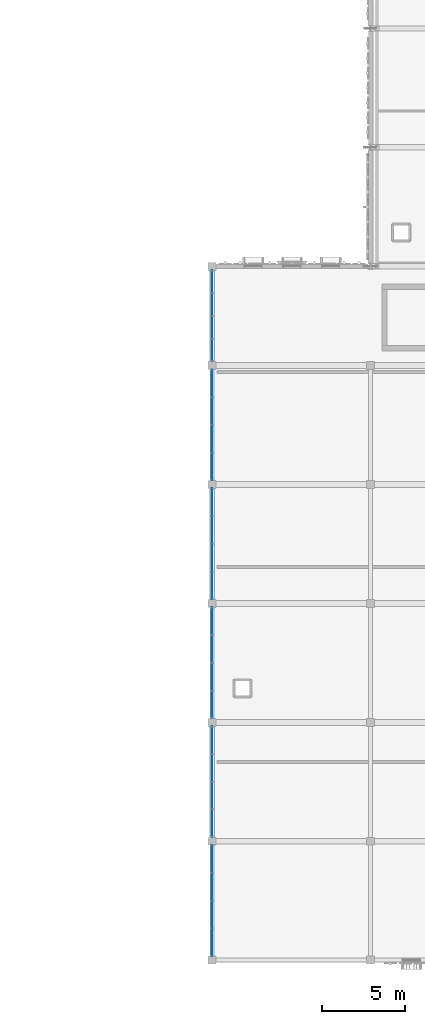
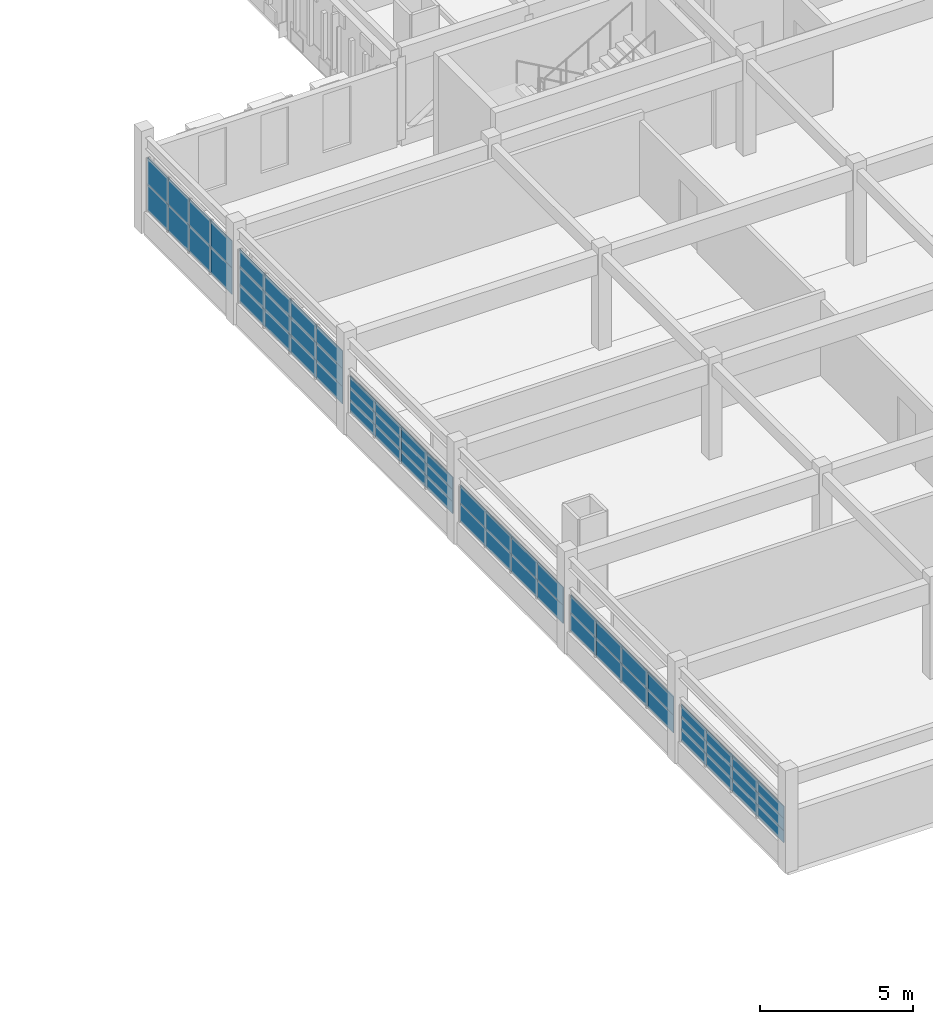
# One storey, part 34 of 79: 60 plates, 6 elements without a shape of their own.
"""IFC4 building model written with IfcOpenShell, lengths in metres."""

from ifc_helpers import new_model, si_unit, direction, frame, origin, origin_2d, place, context, subcontext, project, spatial, rectangle, extrude, material, layer, layer_set, type_object, element, aggregate, save


model = new_model("IFC4")

# Units and contexts
model_context = context("Model", 3, precision=1e-05, world=origin(), true_north=direction((0.0, 1.0)))
body_context = subcontext(model_context, "Body", "Model", "MODEL_VIEW")
ifc_project = project(units=[si_unit("LENGTHUNIT", "METRE"), si_unit("AREAUNIT", "SQUARE_METRE"), si_unit("VOLUMEUNIT", "CUBIC_METRE"), si_unit("PLANEANGLEUNIT", "RADIAN"), si_unit("MASSUNIT", "GRAM", prefix="KILO")], contexts=[model_context])

# Site, building, storey
site_placement = place(None, origin())
site = spatial("IfcSite", under=ifc_project, at=site_placement, CompositionType="ELEMENT")
building_placement = place(site_placement, origin())
building = spatial("IfcBuilding", under=site, at=building_placement, Name="Nzembalo Square Collegiate School", CompositionType="ELEMENT")
storey_placement = place(building_placement, frame((0.0, 0.0, 9.52001953125)))
storey = spatial("IfcBuildingStorey", under=building, at=storey_placement, Name="L02", CompositionType="ELEMENT", Elevation=9.52001953125)

# Curtain wall, plates
ifc_material_1 = material(Name="Aluminium 6060-T66", Category="aluminium")
curtain_wall_type_1 = type_object("IfcCurtainWallType", Name="CW-01", PredefinedType="USERDEFINED", material=ifc_material_1)
curtain_wall_1_placement = place(storey_placement, origin())
curtain_wall_1 = element("IfcCurtainWall", 1, at=curtain_wall_1_placement, inside=storey, type_object=curtain_wall_type_1, Name="Curtain wall CW-01 cw:L02:096", ObjectType="UNITISED", PredefinedType="USERDEFINED")
ifc_material_2 = material(Name="Laminated solar-control double glazing", Category="glass")
ifc_layer_1 = layer(ifc_material_2, 0.028076171875, Name="Laminated solar-control double glazing")
ifc_layer_set_1 = layer_set([ifc_layer_1], Name="Laminated solar-control double glazing")
plate_type_1 = type_object("IfcPlateType", Name="PN01", PredefinedType="CURTAIN_PANEL", material=ifc_layer_set_1)
plate_1_placement = place(storey_placement, frame((130.800048828125, 31.08154296875, 0.85400390625), z_axis=(0.0, 0.0, 1.0), x_axis=(0.0, 1.0, 0.0)))
plate_1 = element("IfcPlate", 2, at=plate_1_placement, type_object=plate_type_1, Name="PN01 glazed panel 1-1", PredefinedType="CURTAIN_PANEL", context=body_context, shape_type="SweptSolid", body=[
    extrude(rectangle(XDim=1.6708984375, YDim=0.028076171875, at=origin_2d()), origin(), (0.0, 0.0, 1.0), 0.4765625),
])
plate_2_placement = place(storey_placement, frame((130.800048828125, 32.760498046875, 0.85400390625), z_axis=(0.0, 0.0, 1.0), x_axis=(0.0, 1.0, 0.0)))
plate_2 = element("IfcPlate", 3, at=plate_2_placement, type_object=plate_type_1, Name="PN01 glazed panel 1-2", PredefinedType="CURTAIN_PANEL", context=body_context, shape_type="SweptSolid", body=[
    extrude(rectangle(XDim=1.6708984375, YDim=0.028076171875, at=origin_2d()), origin(), (0.0, 0.0, 1.0), 0.4765625),
])
plate_3_placement = place(storey_placement, frame((130.800048828125, 34.439453125, 0.85400390625), z_axis=(0.0, 0.0, 1.0), x_axis=(0.0, 1.0, 0.0)))
plate_3 = element("IfcPlate", 4, at=plate_3_placement, type_object=plate_type_1, Name="PN01 glazed panel 1-3", PredefinedType="CURTAIN_PANEL", context=body_context, shape_type="SweptSolid", body=[
    extrude(rectangle(XDim=1.6708984375, YDim=0.028076171875, at=origin_2d()), origin(), (0.0, 0.0, 1.0), 0.4765625),
])
plate_4_placement = place(storey_placement, frame((130.800048828125, 36.118408203125, 0.85400390625), z_axis=(0.0, 0.0, 1.0), x_axis=(0.0, 1.0, 0.0)))
plate_4 = element("IfcPlate", 5, at=plate_4_placement, type_object=plate_type_1, Name="PN01 glazed panel 1-4", PredefinedType="CURTAIN_PANEL", context=body_context, shape_type="SweptSolid", body=[
    extrude(rectangle(XDim=1.6708984375, YDim=0.028076171875, at=origin_2d()), origin(), (0.0, 0.0, 1.0), 0.4765625),
])
plate_5_placement = place(storey_placement, frame((130.800048828125, 31.08154296875, 1.338623046875), z_axis=(0.0, 0.0, 1.0), x_axis=(0.0, 1.0, 0.0)))
plate_5 = element("IfcPlate", 6, at=plate_5_placement, type_object=plate_type_1, Name="PN01 glazed panel 2-1", PredefinedType="CURTAIN_PANEL", context=body_context, shape_type="SweptSolid", body=[
    extrude(rectangle(XDim=1.6708984375, YDim=0.028076171875, at=origin_2d()), origin(), (0.0, 0.0, 1.0), 0.4765625),
])
plate_6_placement = place(storey_placement, frame((130.800048828125, 32.760498046875, 1.338623046875), z_axis=(0.0, 0.0, 1.0), x_axis=(0.0, 1.0, 0.0)))
plate_6 = element("IfcPlate", 7, at=plate_6_placement, type_object=plate_type_1, Name="PN01 glazed panel 2-2", PredefinedType="CURTAIN_PANEL", context=body_context, shape_type="SweptSolid", body=[
    extrude(rectangle(XDim=1.6708984375, YDim=0.028076171875, at=origin_2d()), origin(), (0.0, 0.0, 1.0), 0.4765625),
])
plate_7_placement = place(storey_placement, frame((130.800048828125, 34.439453125, 1.338623046875), z_axis=(0.0, 0.0, 1.0), x_axis=(0.0, 1.0, 0.0)))
plate_7 = element("IfcPlate", 8, at=plate_7_placement, type_object=plate_type_1, Name="PN01 glazed panel 2-3", PredefinedType="CURTAIN_PANEL", context=body_context, shape_type="SweptSolid", body=[
    extrude(rectangle(XDim=1.6708984375, YDim=0.028076171875, at=origin_2d()), origin(), (0.0, 0.0, 1.0), 0.4765625),
])
plate_8_placement = place(storey_placement, frame((130.800048828125, 36.118408203125, 1.338623046875), z_axis=(0.0, 0.0, 1.0), x_axis=(0.0, 1.0, 0.0)))
plate_8 = element("IfcPlate", 9, at=plate_8_placement, type_object=plate_type_1, Name="PN01 glazed panel 2-4", PredefinedType="CURTAIN_PANEL", context=body_context, shape_type="SweptSolid", body=[
    extrude(rectangle(XDim=1.6708984375, YDim=0.028076171875, at=origin_2d()), origin(), (0.0, 0.0, 1.0), 0.4765625),
])
plate_9_placement = place(storey_placement, frame((130.800048828125, 31.08154296875, 1.823486328125), z_axis=(0.0, 0.0, 1.0), x_axis=(0.0, 1.0, 0.0)))
plate_9 = element("IfcPlate", 10, at=plate_9_placement, type_object=plate_type_1, Name="PN01 glazed panel 3-1", PredefinedType="CURTAIN_PANEL", context=body_context, shape_type="SweptSolid", body=[
    extrude(rectangle(XDim=1.6708984375, YDim=0.028076171875, at=origin_2d()), origin(), (0.0, 0.0, 1.0), 0.4765625),
])
plate_10_placement = place(storey_placement, frame((130.800048828125, 32.760498046875, 1.823486328125), z_axis=(0.0, 0.0, 1.0), x_axis=(0.0, 1.0, 0.0)))
plate_10 = element("IfcPlate", 11, at=plate_10_placement, type_object=plate_type_1, Name="PN01 glazed panel 3-2", PredefinedType="CURTAIN_PANEL", context=body_context, shape_type="SweptSolid", body=[
    extrude(rectangle(XDim=1.6708984375, YDim=0.028076171875, at=origin_2d()), origin(), (0.0, 0.0, 1.0), 0.4765625),
])
plate_11_placement = place(storey_placement, frame((130.800048828125, 34.439453125, 1.823486328125), z_axis=(0.0, 0.0, 1.0), x_axis=(0.0, 1.0, 0.0)))
plate_11 = element("IfcPlate", 12, at=plate_11_placement, type_object=plate_type_1, Name="PN01 glazed panel 3-3", PredefinedType="CURTAIN_PANEL", context=body_context, shape_type="SweptSolid", body=[
    extrude(rectangle(XDim=1.6708984375, YDim=0.028076171875, at=origin_2d()), origin(), (0.0, 0.0, 1.0), 0.4765625),
])
plate_12_placement = place(storey_placement, frame((130.800048828125, 36.118408203125, 1.823486328125), z_axis=(0.0, 0.0, 1.0), x_axis=(0.0, 1.0, 0.0)))
plate_12 = element("IfcPlate", 13, at=plate_12_placement, type_object=plate_type_1, Name="PN01 glazed panel 3-4", PredefinedType="CURTAIN_PANEL", context=body_context, shape_type="SweptSolid", body=[
    extrude(rectangle(XDim=1.6708984375, YDim=0.028076171875, at=origin_2d()), origin(), (0.0, 0.0, 1.0), 0.4765625),
])
aggregate(curtain_wall_1, [plate_1, plate_2, plate_3, plate_4, plate_5, plate_6, plate_7, plate_8, plate_9, plate_10, plate_11, plate_12])

ifc_material_3 = material(Name="Aluminium 6060-T66", Category="aluminium")
curtain_wall_type_2 = type_object("IfcCurtainWallType", Name="CW-02", PredefinedType="USERDEFINED", material=ifc_material_3)
curtain_wall_2_placement = place(storey_placement, origin())
curtain_wall_2 = element("IfcCurtainWall", 14, at=curtain_wall_2_placement, inside=storey, type_object=curtain_wall_type_2, Name="Curtain wall CW-02 cw:L02:097", ObjectType="UNITISED", PredefinedType="USERDEFINED")
plate_13_placement = place(storey_placement, frame((130.800048828125, 38.281494140625, 0.85400390625), z_axis=(0.0, 0.0, 1.0), x_axis=(0.0, 1.0, 0.0)))
plate_13 = element("IfcPlate", 15, at=plate_13_placement, type_object=plate_type_1, Name="PN01 glazed panel 1-1", PredefinedType="CURTAIN_PANEL", context=body_context, shape_type="SweptSolid", body=[
    extrude(rectangle(XDim=1.6708984375, YDim=0.028076171875, at=origin_2d()), origin(), (0.0, 0.0, 1.0), 0.70166015625),
])
plate_14_placement = place(storey_placement, frame((130.800048828125, 39.96044921875, 0.85400390625), z_axis=(0.0, 0.0, 1.0), x_axis=(0.0, 1.0, 0.0)))
plate_14 = element("IfcPlate", 16, at=plate_14_placement, type_object=plate_type_1, Name="PN01 glazed panel 1-2", PredefinedType="CURTAIN_PANEL", context=body_context, shape_type="SweptSolid", body=[
    extrude(rectangle(XDim=1.6708984375, YDim=0.028076171875, at=origin_2d()), origin(), (0.0, 0.0, 1.0), 0.70166015625),
])
plate_15_placement = place(storey_placement, frame((130.800048828125, 41.639404296875, 0.85400390625), z_axis=(0.0, 0.0, 1.0), x_axis=(0.0, 1.0, 0.0)))
plate_15 = element("IfcPlate", 17, at=plate_15_placement, type_object=plate_type_1, Name="PN01 glazed panel 1-3", PredefinedType="CURTAIN_PANEL", context=body_context, shape_type="SweptSolid", body=[
    extrude(rectangle(XDim=1.6708984375, YDim=0.028076171875, at=origin_2d()), origin(), (0.0, 0.0, 1.0), 0.70166015625),
])
plate_16_placement = place(storey_placement, frame((130.800048828125, 43.318603515625, 0.85400390625), z_axis=(0.0, 0.0, 1.0), x_axis=(0.0, 1.0, 0.0)))
plate_16 = element("IfcPlate", 18, at=plate_16_placement, type_object=plate_type_1, Name="PN01 glazed panel 1-4", PredefinedType="CURTAIN_PANEL", context=body_context, shape_type="SweptSolid", body=[
    extrude(rectangle(XDim=1.6708984375, YDim=0.028076171875, at=origin_2d()), origin(), (0.0, 0.0, 1.0), 0.70166015625),
])
plate_17_placement = place(storey_placement, frame((130.800048828125, 38.281494140625, 1.563720703125), z_axis=(0.0, 0.0, 1.0), x_axis=(0.0, 1.0, 0.0)))
plate_17 = element("IfcPlate", 19, at=plate_17_placement, type_object=plate_type_1, Name="PN01 glazed panel 2-1", PredefinedType="CURTAIN_PANEL", context=body_context, shape_type="SweptSolid", body=[
    extrude(rectangle(XDim=1.6708984375, YDim=0.028076171875, at=origin_2d()), origin(), (0.0, 0.0, 1.0), 0.70166015625),
])
plate_18_placement = place(storey_placement, frame((130.800048828125, 39.96044921875, 1.563720703125), z_axis=(0.0, 0.0, 1.0), x_axis=(0.0, 1.0, 0.0)))
plate_18 = element("IfcPlate", 20, at=plate_18_placement, type_object=plate_type_1, Name="PN01 glazed panel 2-2", PredefinedType="CURTAIN_PANEL", context=body_context, shape_type="SweptSolid", body=[
    extrude(rectangle(XDim=1.6708984375, YDim=0.028076171875, at=origin_2d()), origin(), (0.0, 0.0, 1.0), 0.70166015625),
])
plate_19_placement = place(storey_placement, frame((130.800048828125, 41.639404296875, 1.563720703125), z_axis=(0.0, 0.0, 1.0), x_axis=(0.0, 1.0, 0.0)))
plate_19 = element("IfcPlate", 21, at=plate_19_placement, type_object=plate_type_1, Name="PN01 glazed panel 2-3", PredefinedType="CURTAIN_PANEL", context=body_context, shape_type="SweptSolid", body=[
    extrude(rectangle(XDim=1.6708984375, YDim=0.028076171875, at=origin_2d()), origin(), (0.0, 0.0, 1.0), 0.70166015625),
])
plate_20_placement = place(storey_placement, frame((130.800048828125, 43.318603515625, 1.563720703125), z_axis=(0.0, 0.0, 1.0), x_axis=(0.0, 1.0, 0.0)))
plate_20 = element("IfcPlate", 22, at=plate_20_placement, type_object=plate_type_1, Name="PN01 glazed panel 2-4", PredefinedType="CURTAIN_PANEL", context=body_context, shape_type="SweptSolid", body=[
    extrude(rectangle(XDim=1.6708984375, YDim=0.028076171875, at=origin_2d()), origin(), (0.0, 0.0, 1.0), 0.70166015625),
])
plate_21_placement = place(storey_placement, frame((130.800048828125, 38.281494140625, 2.273193359375), z_axis=(0.0, 0.0, 1.0), x_axis=(0.0, 1.0, 0.0)))
plate_21 = element("IfcPlate", 23, at=plate_21_placement, type_object=plate_type_1, Name="PN01 glazed panel 3-1", PredefinedType="CURTAIN_PANEL", context=body_context, shape_type="SweptSolid", body=[
    extrude(rectangle(XDim=1.6708984375, YDim=0.028076171875, at=origin_2d()), origin(), (0.0, 0.0, 1.0), 0.70166015625),
])
plate_22_placement = place(storey_placement, frame((130.800048828125, 39.96044921875, 2.273193359375), z_axis=(0.0, 0.0, 1.0), x_axis=(0.0, 1.0, 0.0)))
plate_22 = element("IfcPlate", 24, at=plate_22_placement, type_object=plate_type_1, Name="PN01 glazed panel 3-2", PredefinedType="CURTAIN_PANEL", context=body_context, shape_type="SweptSolid", body=[
    extrude(rectangle(XDim=1.6708984375, YDim=0.028076171875, at=origin_2d()), origin(), (0.0, 0.0, 1.0), 0.70166015625),
])
plate_23_placement = place(storey_placement, frame((130.800048828125, 41.639404296875, 2.273193359375), z_axis=(0.0, 0.0, 1.0), x_axis=(0.0, 1.0, 0.0)))
plate_23 = element("IfcPlate", 25, at=plate_23_placement, type_object=plate_type_1, Name="PN01 glazed panel 3-3", PredefinedType="CURTAIN_PANEL", context=body_context, shape_type="SweptSolid", body=[
    extrude(rectangle(XDim=1.6708984375, YDim=0.028076171875, at=origin_2d()), origin(), (0.0, 0.0, 1.0), 0.70166015625),
])
plate_24_placement = place(storey_placement, frame((130.800048828125, 43.318603515625, 2.273193359375), z_axis=(0.0, 0.0, 1.0), x_axis=(0.0, 1.0, 0.0)))
plate_24 = element("IfcPlate", 26, at=plate_24_placement, type_object=plate_type_1, Name="PN01 glazed panel 3-4", PredefinedType="CURTAIN_PANEL", context=body_context, shape_type="SweptSolid", body=[
    extrude(rectangle(XDim=1.6708984375, YDim=0.028076171875, at=origin_2d()), origin(), (0.0, 0.0, 1.0), 0.70166015625),
])
aggregate(curtain_wall_2, [plate_13, plate_14, plate_15, plate_16, plate_17, plate_18, plate_19, plate_20, plate_21, plate_22, plate_23, plate_24])

ifc_material_4 = material(Name="Aluminium 6060-T66", Category="aluminium")
curtain_wall_type_3 = type_object("IfcCurtainWallType", Name="CW-06", PredefinedType="USERDEFINED", material=ifc_material_4)
curtain_wall_3_placement = place(storey_placement, origin())
curtain_wall_3 = element("IfcCurtainWall", 27, at=curtain_wall_3_placement, inside=storey, type_object=curtain_wall_type_3, Name="Curtain wall CW-06 cw:L02:093", ObjectType="LANCET", PredefinedType="USERDEFINED")
ifc_material_5 = material(Name="Acoustic laminated solar-control glazing", Category="glass")
ifc_layer_2 = layer(ifc_material_5, 0.031982421875, Name="Acoustic laminated solar-control glazing")
ifc_layer_set_2 = layer_set([ifc_layer_2], Name="Acoustic laminated solar-control glazing")
plate_type_2 = type_object("IfcPlateType", Name="PN02", PredefinedType="CURTAIN_PANEL", material=ifc_layer_set_2)
plate_25_placement = place(storey_placement, frame((130.800048828125, 9.4814453125, 0.85400390625), z_axis=(0.0, 0.0, 1.0), x_axis=(0.0, 1.0, 0.0)))
plate_25 = element("IfcPlate", 28, at=plate_25_placement, type_object=plate_type_2, Name="PN02 glazed panel 1-1", PredefinedType="CURTAIN_PANEL", context=body_context, shape_type="SweptSolid", body=[
    extrude(rectangle(XDim=1.6708984375, YDim=0.031982421875, at=origin_2d()), origin(), (0.0, 0.0, 1.0), 0.4765625),
])
plate_26_placement = place(storey_placement, frame((130.800048828125, 11.160400390625, 0.85400390625), z_axis=(0.0, 0.0, 1.0), x_axis=(0.0, 1.0, 0.0)))
plate_26 = element("IfcPlate", 29, at=plate_26_placement, type_object=plate_type_2, Name="PN02 glazed panel 1-2", PredefinedType="CURTAIN_PANEL", context=body_context, shape_type="SweptSolid", body=[
    extrude(rectangle(XDim=1.6708984375, YDim=0.031982421875, at=origin_2d()), origin(), (0.0, 0.0, 1.0), 0.4765625),
])
plate_27_placement = place(storey_placement, frame((130.800048828125, 12.839599609375, 0.85400390625), z_axis=(0.0, 0.0, 1.0), x_axis=(0.0, 1.0, 0.0)))
plate_27 = element("IfcPlate", 30, at=plate_27_placement, type_object=plate_type_2, Name="PN02 glazed panel 1-3", PredefinedType="CURTAIN_PANEL", context=body_context, shape_type="SweptSolid", body=[
    extrude(rectangle(XDim=1.6708984375, YDim=0.031982421875, at=origin_2d()), origin(), (0.0, 0.0, 1.0), 0.4765625),
])
plate_28_placement = place(storey_placement, frame((130.800048828125, 14.5185546875, 0.85400390625), z_axis=(0.0, 0.0, 1.0), x_axis=(0.0, 1.0, 0.0)))
plate_28 = element("IfcPlate", 31, at=plate_28_placement, type_object=plate_type_2, Name="PN02 glazed panel 1-4", PredefinedType="CURTAIN_PANEL", context=body_context, shape_type="SweptSolid", body=[
    extrude(rectangle(XDim=1.6708984375, YDim=0.031982421875, at=origin_2d()), origin(), (0.0, 0.0, 1.0), 0.4765625),
])
plate_29_placement = place(storey_placement, frame((130.800048828125, 9.4814453125, 1.338623046875), z_axis=(0.0, 0.0, 1.0), x_axis=(0.0, 1.0, 0.0)))
plate_29 = element("IfcPlate", 32, at=plate_29_placement, type_object=plate_type_2, Name="PN02 glazed panel 2-1", PredefinedType="CURTAIN_PANEL", context=body_context, shape_type="SweptSolid", body=[
    extrude(rectangle(XDim=1.6708984375, YDim=0.031982421875, at=origin_2d()), origin(), (0.0, 0.0, 1.0), 0.4765625),
])
plate_30_placement = place(storey_placement, frame((130.800048828125, 11.160400390625, 1.338623046875), z_axis=(0.0, 0.0, 1.0), x_axis=(0.0, 1.0, 0.0)))
plate_30 = element("IfcPlate", 33, at=plate_30_placement, type_object=plate_type_2, Name="PN02 glazed panel 2-2", PredefinedType="CURTAIN_PANEL", context=body_context, shape_type="SweptSolid", body=[
    extrude(rectangle(XDim=1.6708984375, YDim=0.031982421875, at=origin_2d()), origin(), (0.0, 0.0, 1.0), 0.4765625),
])
plate_31_placement = place(storey_placement, frame((130.800048828125, 12.839599609375, 1.338623046875), z_axis=(0.0, 0.0, 1.0), x_axis=(0.0, 1.0, 0.0)))
plate_31 = element("IfcPlate", 34, at=plate_31_placement, type_object=plate_type_2, Name="PN02 glazed panel 2-3", PredefinedType="CURTAIN_PANEL", context=body_context, shape_type="SweptSolid", body=[
    extrude(rectangle(XDim=1.6708984375, YDim=0.031982421875, at=origin_2d()), origin(), (0.0, 0.0, 1.0), 0.4765625),
])
plate_32_placement = place(storey_placement, frame((130.800048828125, 14.5185546875, 1.338623046875), z_axis=(0.0, 0.0, 1.0), x_axis=(0.0, 1.0, 0.0)))
plate_32 = element("IfcPlate", 35, at=plate_32_placement, type_object=plate_type_2, Name="PN02 glazed panel 2-4", PredefinedType="CURTAIN_PANEL", context=body_context, shape_type="SweptSolid", body=[
    extrude(rectangle(XDim=1.6708984375, YDim=0.031982421875, at=origin_2d()), origin(), (0.0, 0.0, 1.0), 0.4765625),
])
plate_33_placement = place(storey_placement, frame((130.800048828125, 9.4814453125, 1.823486328125), z_axis=(0.0, 0.0, 1.0), x_axis=(0.0, 1.0, 0.0)))
plate_33 = element("IfcPlate", 36, at=plate_33_placement, type_object=plate_type_2, Name="PN02 glazed panel 3-1", PredefinedType="CURTAIN_PANEL", context=body_context, shape_type="SweptSolid", body=[
    extrude(rectangle(XDim=1.6708984375, YDim=0.031982421875, at=origin_2d()), origin(), (0.0, 0.0, 1.0), 0.4765625),
])
plate_34_placement = place(storey_placement, frame((130.800048828125, 11.160400390625, 1.823486328125), z_axis=(0.0, 0.0, 1.0), x_axis=(0.0, 1.0, 0.0)))
plate_34 = element("IfcPlate", 37, at=plate_34_placement, type_object=plate_type_2, Name="PN02 glazed panel 3-2", PredefinedType="CURTAIN_PANEL", context=body_context, shape_type="SweptSolid", body=[
    extrude(rectangle(XDim=1.6708984375, YDim=0.031982421875, at=origin_2d()), origin(), (0.0, 0.0, 1.0), 0.4765625),
])
plate_35_placement = place(storey_placement, frame((130.800048828125, 12.839599609375, 1.823486328125), z_axis=(0.0, 0.0, 1.0), x_axis=(0.0, 1.0, 0.0)))
plate_35 = element("IfcPlate", 38, at=plate_35_placement, type_object=plate_type_2, Name="PN02 glazed panel 3-3", PredefinedType="CURTAIN_PANEL", context=body_context, shape_type="SweptSolid", body=[
    extrude(rectangle(XDim=1.6708984375, YDim=0.031982421875, at=origin_2d()), origin(), (0.0, 0.0, 1.0), 0.4765625),
])
plate_36_placement = place(storey_placement, frame((130.800048828125, 14.5185546875, 1.823486328125), z_axis=(0.0, 0.0, 1.0), x_axis=(0.0, 1.0, 0.0)))
plate_36 = element("IfcPlate", 39, at=plate_36_placement, type_object=plate_type_2, Name="PN02 glazed panel 3-4", PredefinedType="CURTAIN_PANEL", context=body_context, shape_type="SweptSolid", body=[
    extrude(rectangle(XDim=1.6708984375, YDim=0.031982421875, at=origin_2d()), origin(), (0.0, 0.0, 1.0), 0.4765625),
])
aggregate(curtain_wall_3, [plate_25, plate_26, plate_27, plate_28, plate_29, plate_30, plate_31, plate_32, plate_33, plate_34, plate_35, plate_36])

ifc_material_6 = material(Name="Aluminium 6060-T66", Category="aluminium")
curtain_wall_type_4 = type_object("IfcCurtainWallType", Name="CW-07", PredefinedType="USERDEFINED", material=ifc_material_6)
curtain_wall_4_placement = place(storey_placement, origin())
curtain_wall_4 = element("IfcCurtainWall", 40, at=curtain_wall_4_placement, inside=storey, type_object=curtain_wall_type_4, Name="Curtain wall CW-07 cw:L02:094", ObjectType="LANCET", PredefinedType="USERDEFINED")
plate_37_placement = place(storey_placement, frame((130.800048828125, 16.681396484375, 0.85400390625), z_axis=(0.0, 0.0, 1.0), x_axis=(0.0, 1.0, 0.0)))
plate_37 = element("IfcPlate", 41, at=plate_37_placement, type_object=plate_type_2, Name="PN02 glazed panel 1-1", PredefinedType="CURTAIN_PANEL", context=body_context, shape_type="SweptSolid", body=[
    extrude(rectangle(XDim=1.6708984375, YDim=0.031982421875, at=origin_2d()), origin(), (0.0, 0.0, 1.0), 0.718994140625),
])
plate_38_placement = place(storey_placement, frame((130.800048828125, 18.360595703125, 0.85400390625), z_axis=(0.0, 0.0, 1.0), x_axis=(0.0, 1.0, 0.0)))
plate_38 = element("IfcPlate", 42, at=plate_38_placement, type_object=plate_type_2, Name="PN02 glazed panel 1-2", PredefinedType="CURTAIN_PANEL", context=body_context, shape_type="SweptSolid", body=[
    extrude(rectangle(XDim=1.6708984375, YDim=0.031982421875, at=origin_2d()), origin(), (0.0, 0.0, 1.0), 0.718994140625),
])
plate_39_placement = place(storey_placement, frame((130.800048828125, 20.03955078125, 0.85400390625), z_axis=(0.0, 0.0, 1.0), x_axis=(0.0, 1.0, 0.0)))
plate_39 = element("IfcPlate", 43, at=plate_39_placement, type_object=plate_type_2, Name="PN02 glazed panel 1-3", PredefinedType="CURTAIN_PANEL", context=body_context, shape_type="SweptSolid", body=[
    extrude(rectangle(XDim=1.6708984375, YDim=0.031982421875, at=origin_2d()), origin(), (0.0, 0.0, 1.0), 0.718994140625),
])
plate_40_placement = place(storey_placement, frame((130.800048828125, 21.718505859375, 0.85400390625), z_axis=(0.0, 0.0, 1.0), x_axis=(0.0, 1.0, 0.0)))
plate_40 = element("IfcPlate", 44, at=plate_40_placement, type_object=plate_type_2, Name="PN02 glazed panel 1-4", PredefinedType="CURTAIN_PANEL", context=body_context, shape_type="SweptSolid", body=[
    extrude(rectangle(XDim=1.6708984375, YDim=0.031982421875, at=origin_2d()), origin(), (0.0, 0.0, 1.0), 0.718994140625),
])
plate_41_placement = place(storey_placement, frame((130.800048828125, 16.681396484375, 1.5810546875), z_axis=(0.0, 0.0, 1.0), x_axis=(0.0, 1.0, 0.0)))
plate_41 = element("IfcPlate", 45, at=plate_41_placement, type_object=plate_type_2, Name="PN02 glazed panel 2-1", PredefinedType="CURTAIN_PANEL", context=body_context, shape_type="SweptSolid", body=[
    extrude(rectangle(XDim=1.6708984375, YDim=0.031982421875, at=origin_2d()), origin(), (0.0, 0.0, 1.0), 0.718994140625),
])
plate_42_placement = place(storey_placement, frame((130.800048828125, 18.360595703125, 1.5810546875), z_axis=(0.0, 0.0, 1.0), x_axis=(0.0, 1.0, 0.0)))
plate_42 = element("IfcPlate", 46, at=plate_42_placement, type_object=plate_type_2, Name="PN02 glazed panel 2-2", PredefinedType="CURTAIN_PANEL", context=body_context, shape_type="SweptSolid", body=[
    extrude(rectangle(XDim=1.6708984375, YDim=0.031982421875, at=origin_2d()), origin(), (0.0, 0.0, 1.0), 0.718994140625),
])
plate_43_placement = place(storey_placement, frame((130.800048828125, 20.03955078125, 1.5810546875), z_axis=(0.0, 0.0, 1.0), x_axis=(0.0, 1.0, 0.0)))
plate_43 = element("IfcPlate", 47, at=plate_43_placement, type_object=plate_type_2, Name="PN02 glazed panel 2-3", PredefinedType="CURTAIN_PANEL", context=body_context, shape_type="SweptSolid", body=[
    extrude(rectangle(XDim=1.6708984375, YDim=0.031982421875, at=origin_2d()), origin(), (0.0, 0.0, 1.0), 0.718994140625),
])
plate_44_placement = place(storey_placement, frame((130.800048828125, 21.718505859375, 1.5810546875), z_axis=(0.0, 0.0, 1.0), x_axis=(0.0, 1.0, 0.0)))
plate_44 = element("IfcPlate", 48, at=plate_44_placement, type_object=plate_type_2, Name="PN02 glazed panel 2-4", PredefinedType="CURTAIN_PANEL", context=body_context, shape_type="SweptSolid", body=[
    extrude(rectangle(XDim=1.6708984375, YDim=0.031982421875, at=origin_2d()), origin(), (0.0, 0.0, 1.0), 0.718994140625),
])
aggregate(curtain_wall_4, [plate_37, plate_38, plate_39, plate_40, plate_41, plate_42, plate_43, plate_44])

ifc_material_7 = material(Name="Aluminium 6060-T66", Category="aluminium")
curtain_wall_type_5 = type_object("IfcCurtainWallType", Name="CW-08", PredefinedType="USERDEFINED", material=ifc_material_7)
curtain_wall_5_placement = place(storey_placement, origin())
curtain_wall_5 = element("IfcCurtainWall", 49, at=curtain_wall_5_placement, inside=storey, type_object=curtain_wall_type_5, Name="Curtain wall CW-08 cw:L02:095", ObjectType="LANCET", PredefinedType="USERDEFINED")
plate_45_placement = place(storey_placement, frame((130.800048828125, 23.881591796875, 0.85400390625), z_axis=(0.0, 0.0, 1.0), x_axis=(0.0, 1.0, 0.0)))
plate_45 = element("IfcPlate", 50, at=plate_45_placement, type_object=plate_type_2, Name="PN02 glazed panel 1-1", PredefinedType="CURTAIN_PANEL", context=body_context, shape_type="SweptSolid", body=[
    extrude(rectangle(XDim=1.6708984375, YDim=0.031982421875, at=origin_2d()), origin(), (0.0, 0.0, 1.0), 0.718994140625),
])
plate_46_placement = place(storey_placement, frame((130.800048828125, 25.560546875, 0.85400390625), z_axis=(0.0, 0.0, 1.0), x_axis=(0.0, 1.0, 0.0)))
plate_46 = element("IfcPlate", 51, at=plate_46_placement, type_object=plate_type_2, Name="PN02 glazed panel 1-2", PredefinedType="CURTAIN_PANEL", context=body_context, shape_type="SweptSolid", body=[
    extrude(rectangle(XDim=1.6708984375, YDim=0.031982421875, at=origin_2d()), origin(), (0.0, 0.0, 1.0), 0.718994140625),
])
plate_47_placement = place(storey_placement, frame((130.800048828125, 27.239501953125, 0.85400390625), z_axis=(0.0, 0.0, 1.0), x_axis=(0.0, 1.0, 0.0)))
plate_47 = element("IfcPlate", 52, at=plate_47_placement, type_object=plate_type_2, Name="PN02 glazed panel 1-3", PredefinedType="CURTAIN_PANEL", context=body_context, shape_type="SweptSolid", body=[
    extrude(rectangle(XDim=1.6708984375, YDim=0.031982421875, at=origin_2d()), origin(), (0.0, 0.0, 1.0), 0.718994140625),
])
plate_48_placement = place(storey_placement, frame((130.800048828125, 28.91845703125, 0.85400390625), z_axis=(0.0, 0.0, 1.0), x_axis=(0.0, 1.0, 0.0)))
plate_48 = element("IfcPlate", 53, at=plate_48_placement, type_object=plate_type_2, Name="PN02 glazed panel 1-4", PredefinedType="CURTAIN_PANEL", context=body_context, shape_type="SweptSolid", body=[
    extrude(rectangle(XDim=1.6708984375, YDim=0.031982421875, at=origin_2d()), origin(), (0.0, 0.0, 1.0), 0.718994140625),
])
plate_49_placement = place(storey_placement, frame((130.800048828125, 23.881591796875, 1.5810546875), z_axis=(0.0, 0.0, 1.0), x_axis=(0.0, 1.0, 0.0)))
plate_49 = element("IfcPlate", 54, at=plate_49_placement, type_object=plate_type_2, Name="PN02 glazed panel 2-1", PredefinedType="CURTAIN_PANEL", context=body_context, shape_type="SweptSolid", body=[
    extrude(rectangle(XDim=1.6708984375, YDim=0.031982421875, at=origin_2d()), origin(), (0.0, 0.0, 1.0), 0.718994140625),
])
plate_50_placement = place(storey_placement, frame((130.800048828125, 25.560546875, 1.5810546875), z_axis=(0.0, 0.0, 1.0), x_axis=(0.0, 1.0, 0.0)))
plate_50 = element("IfcPlate", 55, at=plate_50_placement, type_object=plate_type_2, Name="PN02 glazed panel 2-2", PredefinedType="CURTAIN_PANEL", context=body_context, shape_type="SweptSolid", body=[
    extrude(rectangle(XDim=1.6708984375, YDim=0.031982421875, at=origin_2d()), origin(), (0.0, 0.0, 1.0), 0.718994140625),
])
plate_51_placement = place(storey_placement, frame((130.800048828125, 27.239501953125, 1.5810546875), z_axis=(0.0, 0.0, 1.0), x_axis=(0.0, 1.0, 0.0)))
plate_51 = element("IfcPlate", 56, at=plate_51_placement, type_object=plate_type_2, Name="PN02 glazed panel 2-3", PredefinedType="CURTAIN_PANEL", context=body_context, shape_type="SweptSolid", body=[
    extrude(rectangle(XDim=1.6708984375, YDim=0.031982421875, at=origin_2d()), origin(), (0.0, 0.0, 1.0), 0.718994140625),
])
plate_52_placement = place(storey_placement, frame((130.800048828125, 28.91845703125, 1.5810546875), z_axis=(0.0, 0.0, 1.0), x_axis=(0.0, 1.0, 0.0)))
plate_52 = element("IfcPlate", 57, at=plate_52_placement, type_object=plate_type_2, Name="PN02 glazed panel 2-4", PredefinedType="CURTAIN_PANEL", context=body_context, shape_type="SweptSolid", body=[
    extrude(rectangle(XDim=1.6708984375, YDim=0.031982421875, at=origin_2d()), origin(), (0.0, 0.0, 1.0), 0.718994140625),
])
aggregate(curtain_wall_5, [plate_45, plate_46, plate_47, plate_48, plate_49, plate_50, plate_51, plate_52])

ifc_material_8 = material(Name="Aluminium 6060-T66", Category="aluminium")
curtain_wall_type_6 = type_object("IfcCurtainWallType", Name="CW-03", PredefinedType="USERDEFINED", material=ifc_material_8)
curtain_wall_6_placement = place(storey_placement, origin())
curtain_wall_6 = element("IfcCurtainWall", 58, at=curtain_wall_6_placement, inside=storey, type_object=curtain_wall_type_6, Name="Curtain wall CW-03 cw:L02:098", ObjectType="UNITISED", PredefinedType="USERDEFINED")
plate_53_placement = place(storey_placement, frame((130.800048828125, 45.33154296875, 0.85400390625), z_axis=(0.0, 0.0, 1.0), x_axis=(0.0, 1.0, 0.0)))
plate_53 = element("IfcPlate", 59, at=plate_53_placement, type_object=plate_type_2, Name="PN02 glazed panel 1-1", PredefinedType="CURTAIN_PANEL", context=body_context, shape_type="SweptSolid", body=[
    extrude(rectangle(XDim=1.37109375, YDim=0.031982421875, at=origin_2d()), origin(), (0.0, 0.0, 1.0), 1.056396484375),
])
plate_54_placement = place(storey_placement, frame((130.800048828125, 46.71044921875, 0.85400390625), z_axis=(0.0, 0.0, 1.0), x_axis=(0.0, 1.0, 0.0)))
plate_54 = element("IfcPlate", 60, at=plate_54_placement, type_object=plate_type_2, Name="PN02 glazed panel 1-2", PredefinedType="CURTAIN_PANEL", context=body_context, shape_type="SweptSolid", body=[
    extrude(rectangle(XDim=1.37109375, YDim=0.031982421875, at=origin_2d()), origin(), (0.0, 0.0, 1.0), 1.056396484375),
])
plate_55_placement = place(storey_placement, frame((130.800048828125, 48.089599609375, 0.85400390625), z_axis=(0.0, 0.0, 1.0), x_axis=(0.0, 1.0, 0.0)))
plate_55 = element("IfcPlate", 61, at=plate_55_placement, type_object=plate_type_2, Name="PN02 glazed panel 1-3", PredefinedType="CURTAIN_PANEL", context=body_context, shape_type="SweptSolid", body=[
    extrude(rectangle(XDim=1.37109375, YDim=0.031982421875, at=origin_2d()), origin(), (0.0, 0.0, 1.0), 1.056396484375),
])
plate_56_placement = place(storey_placement, frame((130.800048828125, 49.468505859375, 0.85400390625), z_axis=(0.0, 0.0, 1.0), x_axis=(0.0, 1.0, 0.0)))
plate_56 = element("IfcPlate", 62, at=plate_56_placement, type_object=plate_type_2, Name="PN02 glazed panel 1-4", PredefinedType="CURTAIN_PANEL", context=body_context, shape_type="SweptSolid", body=[
    extrude(rectangle(XDim=1.37109375, YDim=0.031982421875, at=origin_2d()), origin(), (0.0, 0.0, 1.0), 1.056396484375),
])
plate_57_placement = place(storey_placement, frame((130.800048828125, 45.33154296875, 1.91845703125), z_axis=(0.0, 0.0, 1.0), x_axis=(0.0, 1.0, 0.0)))
plate_57 = element("IfcPlate", 63, at=plate_57_placement, type_object=plate_type_2, Name="PN02 glazed panel 2-1", PredefinedType="CURTAIN_PANEL", context=body_context, shape_type="SweptSolid", body=[
    extrude(rectangle(XDim=1.37109375, YDim=0.031982421875, at=origin_2d()), origin(), (0.0, 0.0, 1.0), 1.056396484375),
])
plate_58_placement = place(storey_placement, frame((130.800048828125, 46.71044921875, 1.91845703125), z_axis=(0.0, 0.0, 1.0), x_axis=(0.0, 1.0, 0.0)))
plate_58 = element("IfcPlate", 64, at=plate_58_placement, type_object=plate_type_2, Name="PN02 glazed panel 2-2", PredefinedType="CURTAIN_PANEL", context=body_context, shape_type="SweptSolid", body=[
    extrude(rectangle(XDim=1.37109375, YDim=0.031982421875, at=origin_2d()), origin(), (0.0, 0.0, 1.0), 1.056396484375),
])
plate_59_placement = place(storey_placement, frame((130.800048828125, 48.089599609375, 1.91845703125), z_axis=(0.0, 0.0, 1.0), x_axis=(0.0, 1.0, 0.0)))
plate_59 = element("IfcPlate", 65, at=plate_59_placement, type_object=plate_type_2, Name="PN02 glazed panel 2-3", PredefinedType="CURTAIN_PANEL", context=body_context, shape_type="SweptSolid", body=[
    extrude(rectangle(XDim=1.37109375, YDim=0.031982421875, at=origin_2d()), origin(), (0.0, 0.0, 1.0), 1.056396484375),
])
plate_60_placement = place(storey_placement, frame((130.800048828125, 49.468505859375, 1.91845703125), z_axis=(0.0, 0.0, 1.0), x_axis=(0.0, 1.0, 0.0)))
plate_60 = element("IfcPlate", 66, at=plate_60_placement, type_object=plate_type_2, Name="PN02 glazed panel 2-4", PredefinedType="CURTAIN_PANEL", context=body_context, shape_type="SweptSolid", body=[
    extrude(rectangle(XDim=1.37109375, YDim=0.031982421875, at=origin_2d()), origin(), (0.0, 0.0, 1.0), 1.056396484375),
])
aggregate(curtain_wall_6, [plate_53, plate_54, plate_55, plate_56, plate_57, plate_58, plate_59, plate_60])

save(model, "model.ifc")
